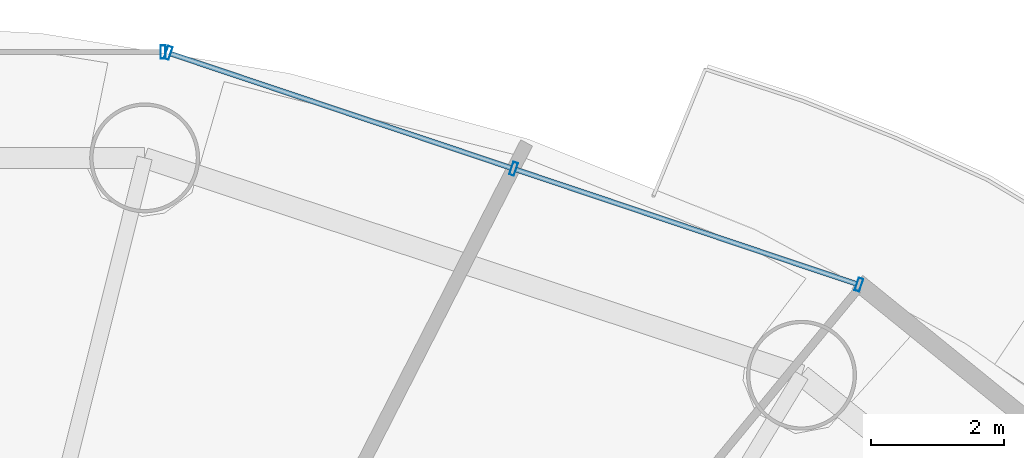
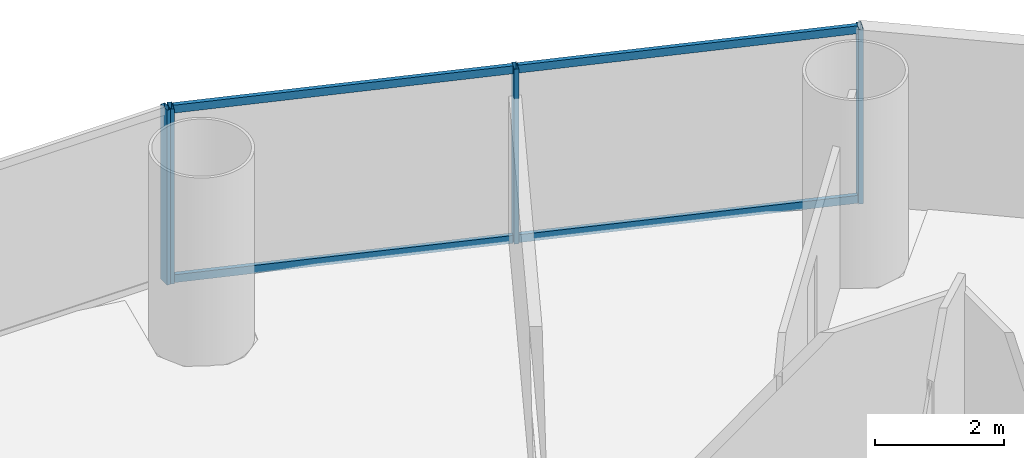
# One storey, part 20 of 29: 8 members, 2 elements without a shape of their own.
"""IFC4 building model written with IfcOpenShell, lengths in metres."""

from ifc_helpers import new_model, si_unit, direction, frame, origin, origin_2d, place, context, subcontext, project, spatial, hollow_rectangle, extrude, source, transform, mapped, material, material_profile, profile_set, type_object, element, aggregate, save


model = new_model("IFC4")

# Units and contexts
model_context = context("Model", 3, precision=1e-05, world=origin(), true_north=direction((-0.2419218956, 0.970295726276)))
body_context = subcontext(model_context, "Body", "Model", "MODEL_VIEW")
ifc_project = project(units=[si_unit("LENGTHUNIT", "METRE"), si_unit("AREAUNIT", "SQUARE_METRE"), si_unit("VOLUMEUNIT", "CUBIC_METRE"), si_unit("PLANEANGLEUNIT", "RADIAN"), si_unit("MASSUNIT", "GRAM", prefix="KILO")], contexts=[model_context])

# Site, building, storey
site_placement = place(None, origin())
site = spatial("IfcSite", under=ifc_project, at=site_placement, CompositionType="ELEMENT")
building_placement = place(site_placement, origin())
building = spatial("IfcBuilding", under=site, at=building_placement, Name="Cobrevalo Terracotta Tower", CompositionType="ELEMENT")
storey_placement = place(building_placement, frame((0.0, 0.0, 67.199951171875)))
storey = spatial("IfcBuildingStorey", under=building, at=storey_placement, Name="L17", CompositionType="ELEMENT", Elevation=67.199951171875)

# Curtain wall, members
ifc_material = material(Name="Anodized aluminium", Category="aluminium")
curtain_wall_type = type_object("IfcCurtainWallType", Name="Lower-tower unitised acoustic low-E curtain wall CW-U1", PredefinedType="NOTDEFINED", material=ifc_material)
curtain_wall_1_placement = place(storey_placement, origin())
curtain_wall_1 = element("IfcCurtainWall", 1, at=curtain_wall_1_placement, inside=storey, type_object=curtain_wall_type, Name="L17 curtain wall CW-L17-S03", PredefinedType="NOTDEFINED")
ifc_material_profile_1 = material_profile(ifc_material, hollow_rectangle(XDim=0.074951171875, YDim=0.199951171875, WallThickness=0.0048828125, at=origin_2d()), Name="CWM 75x200")
ifc_profile_set_1 = profile_set([ifc_material_profile_1], Name="Anodized aluminium")
member_type_1 = type_object("IfcMemberType", Name="Lower/mid tower unitised mullion 75x200", PredefinedType="MULLION", material=ifc_profile_set_1)
shared_shape_1 = source(origin(), body_context, "Body", "SweptSolid", [
    extrude(hollow_rectangle(XDim=0.074951171875, YDim=0.199951171875, WallThickness=0.0048828125, at=origin_2d()), origin(), (0.0, 0.0, 1.0), 3.320068359375),
])
member_1_placement = place(storey_placement, frame((54.056884765625, 46.327392578125, 0.0), z_axis=(0.0, 0.0, 1.0), x_axis=(-0.948046393597, 0.318132103987, 0.0)))
member_1 = element("IfcMember", 2, at=member_1_placement, type_object=member_type_1, Name="CW-L17-S03 vertical mullion 01", PredefinedType="MULLION", context=body_context, shape_type="MappedRepresentation", body=[
    mapped(shared_shape_1, transform((0.0, 0.0, 0.0), scale=1.0)),
])
member_2_placement = place(storey_placement, frame((48.873291015625, 48.06689453125, 0.0), z_axis=(0.0, 0.0, 1.0), x_axis=(-0.948046393597, 0.318132103987, 0.0)))
member_2 = element("IfcMember", 3, at=member_2_placement, type_object=member_type_1, Name="CW-L17-S03 vertical mullion 02", PredefinedType="MULLION", context=body_context, shape_type="MappedRepresentation", body=[
    mapped(shared_shape_1, transform((0.0, 0.0, 0.0), scale=1.0)),
])
member_3_placement = place(storey_placement, frame((43.689697265625, 49.806396484375, 0.0), z_axis=(0.0, 0.0, 1.0), x_axis=(-0.948046393597, 0.318132103987, 0.0)))
member_3 = element("IfcMember", 4, at=member_3_placement, type_object=member_type_1, Name="CW-L17-S03 vertical mullion 03", PredefinedType="MULLION", context=body_context, shape_type="MappedRepresentation", body=[
    mapped(shared_shape_1, transform((0.0, 0.0, 0.0), scale=1.0)),
])

# Curtain wall, member
curtain_wall_2_placement = place(storey_placement, origin())
curtain_wall_2 = element("IfcCurtainWall", 5, at=curtain_wall_2_placement, inside=storey, type_object=curtain_wall_type, Name="L17 curtain wall CW-L17-S04", PredefinedType="NOTDEFINED")
member_4_placement = place(storey_placement, frame((43.61181640625, 49.819091796875, 0.0), z_axis=(0.0, 0.0, 1.0), x_axis=(-1.0, 0.0, 0.0)))
member_4 = element("IfcMember", 6, at=member_4_placement, type_object=member_type_1, Name="CW-L17-S04 vertical mullion 01", PredefinedType="MULLION", context=body_context, shape_type="MappedRepresentation", body=[
    mapped(shared_shape_1, transform((0.0, 0.0, 0.0), scale=1.0)),
])
aggregate(curtain_wall_2, [member_4])

# Member
ifc_material_profile_2 = material_profile(ifc_material, hollow_rectangle(XDim=0.074951171875, YDim=0.14990234375, WallThickness=0.00439453125, at=origin_2d()), Name="CWT 75x150")
ifc_profile_set_2 = profile_set([ifc_material_profile_2], Name="Anodized aluminium")
member_type_2 = type_object("IfcMemberType", Name="Tower unitised aluminium transom 75x150", PredefinedType="USERDEFINED", material=ifc_profile_set_2)
shared_shape_2 = source(origin(), body_context, "Body", "SweptSolid", [
    extrude(hollow_rectangle(XDim=0.074951171875, YDim=0.14990234375, WallThickness=0.00439453125, at=origin_2d()), origin(), (0.0, 0.0, 1.0), 5.387939453125),
])
member_5_placement = place(storey_placement, frame((54.01904296875, 46.340087890625, 0.050048828125), z_axis=(-0.94804244582, 0.318143868278, 0.0), x_axis=(-0.318143868278, -0.94804244582, 0.0)))
member_5 = element("IfcMember", 7, at=member_5_placement, type_object=member_type_2, Name="CW-L17-S03 transom B01-T1", ObjectType="TRANSOM", PredefinedType="USERDEFINED", context=body_context, shape_type="MappedRepresentation", body=[
    mapped(shared_shape_2, transform((0.0, 0.0, 0.0), scale=1.0)),
])

member_6_placement = place(storey_placement, frame((54.01904296875, 46.340087890625, 3.27001953125), z_axis=(-0.94804244582, 0.318143868278, 0.0), x_axis=(-0.318143868278, -0.94804244582, 0.0)))
member_6 = element("IfcMember", 8, at=member_6_placement, type_object=member_type_2, Name="CW-L17-S03 transom B01-T2", ObjectType="TRANSOM", PredefinedType="USERDEFINED", context=body_context, shape_type="MappedRepresentation", body=[
    mapped(shared_shape_2, transform((0.0, 0.0, 0.0), scale=1.0)),
])

member_7_placement = place(storey_placement, frame((48.83544921875, 48.07958984375, 0.050048828125), z_axis=(-0.94804244582, 0.318143868278, 0.0), x_axis=(-0.318143868278, -0.94804244582, 0.0)))
member_7 = element("IfcMember", 9, at=member_7_placement, type_object=member_type_2, Name="CW-L17-S03 transom B02-T1", ObjectType="TRANSOM", PredefinedType="USERDEFINED", context=body_context, shape_type="MappedRepresentation", body=[
    mapped(shared_shape_2, transform((0.0, 0.0, 0.0), scale=1.0)),
])

member_8_placement = place(storey_placement, frame((48.83544921875, 48.07958984375, 3.27001953125), z_axis=(-0.94804244582, 0.318143868278, 0.0), x_axis=(-0.318143868278, -0.94804244582, 0.0)))
member_8 = element("IfcMember", 10, at=member_8_placement, type_object=member_type_2, Name="CW-L17-S03 transom B02-T2", ObjectType="TRANSOM", PredefinedType="USERDEFINED", context=body_context, shape_type="MappedRepresentation", body=[
    mapped(shared_shape_2, transform((0.0, 0.0, 0.0), scale=1.0)),
])

aggregate(curtain_wall_1, [member_1, member_2, member_3, member_5, member_6, member_7, member_8])

save(model, "model.ifc")
